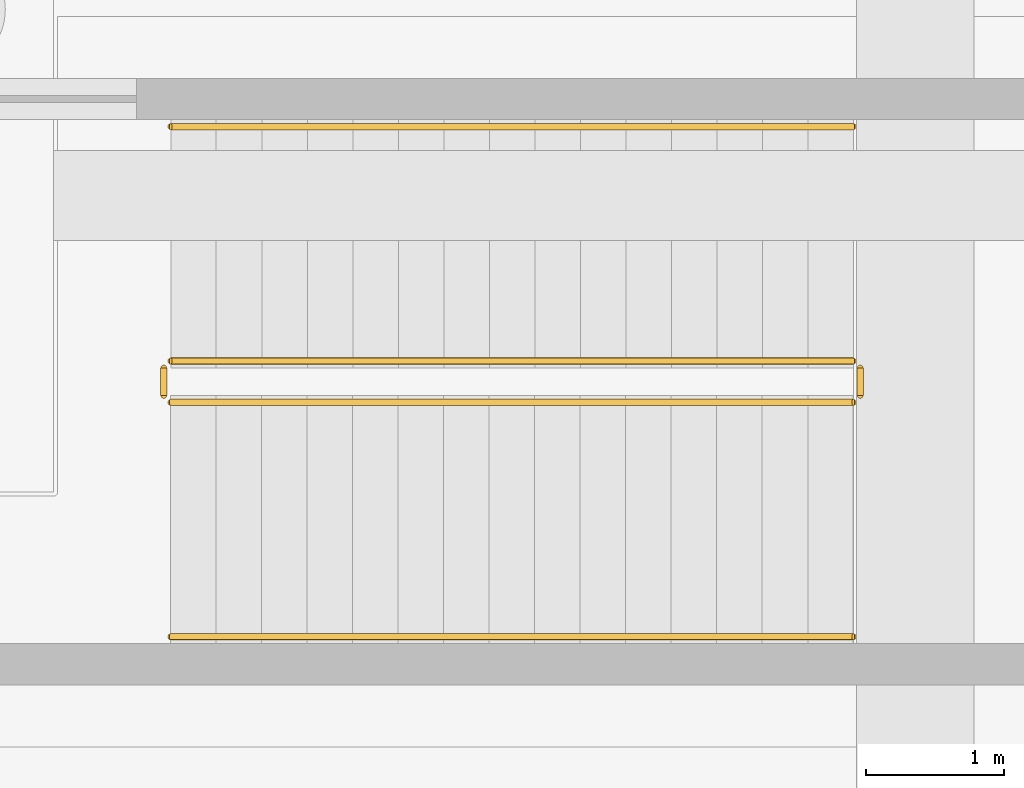
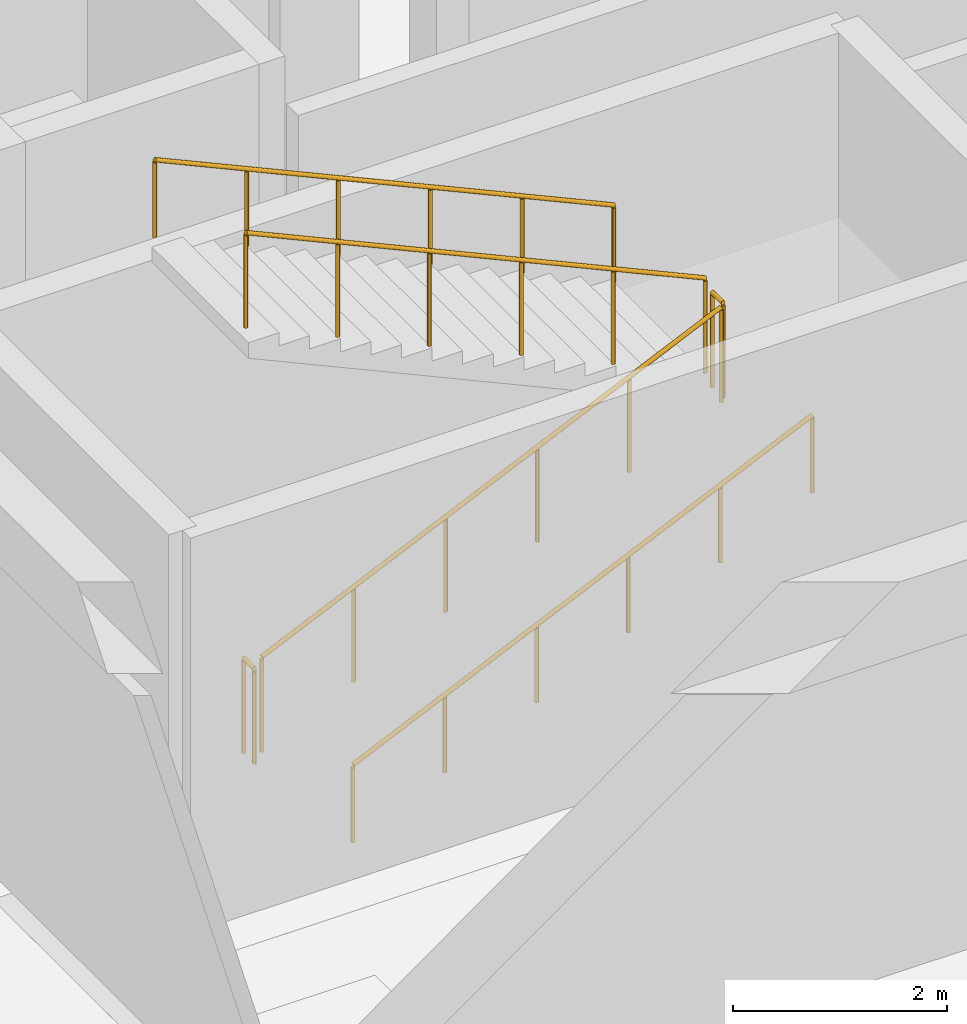
# One storey, part 77 of 80: 6 railings.
"""IFC4 building model written with IfcOpenShell, lengths in metres."""

from ifc_helpers import new_model, si_unit, direction, frame, origin, origin_2d, place, context, subcontext, project, spatial, circle, extrude, material, layer, layer_set, type_object, element, save


model = new_model("IFC4")

# Units and contexts
model_context = context("Model", 3, precision=1e-05, world=origin(), true_north=direction((0.0, 1.0)))
body_context = subcontext(model_context, "Body", "Model", "MODEL_VIEW")
ifc_project = project(units=[si_unit("LENGTHUNIT", "METRE"), si_unit("AREAUNIT", "SQUARE_METRE"), si_unit("VOLUMEUNIT", "CUBIC_METRE"), si_unit("PLANEANGLEUNIT", "RADIAN"), si_unit("MASSUNIT", "GRAM", prefix="KILO")], contexts=[model_context])

# Site, building, storey
site_placement = place(None, origin())
site = spatial("IfcSite", under=ifc_project, at=site_placement, CompositionType="ELEMENT")
building_placement = place(site_placement, origin())
building = spatial("IfcBuilding", under=site, at=building_placement, Name="Malvenik Polytechnic", CompositionType="ELEMENT")
storey_placement = place(building_placement, frame((0.0, 0.0, -4.800048828125)))
storey = spatial("IfcBuildingStorey", under=building, at=storey_placement, Name="B1", CompositionType="ELEMENT", Elevation=-4.800048828125)

# Railings
ifc_material_1 = material(Name="Painted galvanised steel stair well balustrade 1100mm", Category="steel")
ifc_layer_1 = layer(ifc_material_1, 0.050048828125)
ifc_layer_set_1 = layer_set([ifc_layer_1], Name="Painted galvanised steel stair well balustrade 1100mm")
railing_type_1 = type_object("IfcRailingType", Name="ARC-RL-STGD", PredefinedType="BALUSTRADE", material=ifc_layer_set_1)
railing_1_placement = place(storey_placement, frame((95.39990234375, 120.89990234375, 0.150146484375)))
element("IfcRailing", 1, at=railing_1_placement, inside=storey, type_object=railing_type_1, Name="B1 ST-03 stair guard 1", PredefinedType="BALUSTRADE", context=body_context, shape_type="SweptSolid", body=[
    extrude(circle(Radius=0.02392578125, at=origin_2d()), frame((0.0, 0.0, 1.076171875), z_axis=(0.910372627913, 0.0, 0.413789413043), x_axis=(0.0, 1.0, 0.0)), (0.0, 0.0, 1.0), 5.4375),
    extrude(circle(Radius=0.02099609375, at=origin_2d()), origin(), (0.0, 0.0, 1.0), 1.052001953125),
    extrude(circle(Radius=0.02099609375, at=origin_2d()), frame((0.989990234375, 0.0, 0.449951171875)), (0.0, 0.0, 1.0), 1.052001953125),
    extrude(circle(Radius=0.02099609375, at=origin_2d()), frame((1.97998046875, 0.0, 0.89990234375)), (0.0, 0.0, 1.0), 1.052001953125),
    extrude(circle(Radius=0.02099609375, at=origin_2d()), frame((2.97021484375, 0.0, 1.35009765625)), (0.0, 0.0, 1.0), 1.052001953125),
    extrude(circle(Radius=0.02099609375, at=origin_2d()), frame((3.960205078125, 0.0, 1.800048828125)), (0.0, 0.0, 1.0), 1.052001953125),
    extrude(circle(Radius=0.02099609375, at=origin_2d()), frame((4.9501953125, 0.0, 2.25)), (0.0, 0.0, 1.0), 1.052001953125),
])
railing_2_placement = place(storey_placement, frame((100.39990234375, 120.949951171875, 2.400146484375)))
element("IfcRailing", 2, at=railing_2_placement, inside=storey, type_object=railing_type_1, Name="B1 ST-03 stair guard 2", PredefinedType="BALUSTRADE", context=body_context, shape_type="SweptSolid", body=[
    extrude(circle(Radius=0.02392578125, at=origin_2d()), frame((0.0, 0.0, 1.076171875), z_axis=(0.0, 1.0, 0.0), x_axis=(-1.0, 0.0, 0.0)), (0.0, 0.0, 1.0), 0.199951171875),
    extrude(circle(Radius=0.02099609375, at=origin_2d()), origin(), (0.0, 0.0, 1.0), 1.052001953125),
    extrude(circle(Radius=0.02099609375, at=origin_2d()), frame((0.0, 0.199951171875, 0.0)), (0.0, 0.0, 1.0), 1.052001953125),
])
railing_3_placement = place(storey_placement, frame((100.35009765625, 121.199951171875, 2.550048828125)))
element("IfcRailing", 3, at=railing_3_placement, inside=storey, type_object=railing_type_1, Name="B1 ST-03 stair guard 3", PredefinedType="BALUSTRADE", context=body_context, shape_type="SweptSolid", body=[
    extrude(circle(Radius=0.02392578125, at=origin_2d()), frame((0.0, 0.0, 1.076171875), z_axis=(-0.910372627913, 0.0, 0.413789413043), x_axis=(0.0, -1.0, 0.0)), (0.0, 0.0, 1.0), 5.4375),
    extrude(circle(Radius=0.02099609375, at=origin_2d()), origin(), (0.0, 0.0, 1.0), 1.052001953125),
    extrude(circle(Radius=0.02099609375, at=origin_2d()), frame((-0.989990234375, 0.0, 0.449951171875)), (0.0, 0.0, 1.0), 1.052001953125),
    extrude(circle(Radius=0.02099609375, at=origin_2d()), frame((-1.97998046875, 0.0, 0.89990234375)), (0.0, 0.0, 1.0), 1.052001953125),
    extrude(circle(Radius=0.02099609375, at=origin_2d()), frame((-2.97021484375, 0.0, 1.35009765625)), (0.0, 0.0, 1.0), 1.052001953125),
    extrude(circle(Radius=0.02099609375, at=origin_2d()), frame((-3.960205078125, 0.0, 1.800048828125)), (0.0, 0.0, 1.0), 1.052001953125),
    extrude(circle(Radius=0.02099609375, at=origin_2d()), frame((-4.9501953125, 0.0, 2.25)), (0.0, 0.0, 1.0), 1.052001953125),
])
railing_4_placement = place(storey_placement, frame((95.35009765625, 120.949951171875, 0.0)))
element("IfcRailing", 4, at=railing_4_placement, inside=storey, type_object=railing_type_1, Name="B1 ST-03 stair guard 4", PredefinedType="BALUSTRADE", context=body_context, shape_type="SweptSolid", body=[
    extrude(circle(Radius=0.02392578125, at=origin_2d()), frame((0.0, 0.0, 1.076171875), z_axis=(0.0, 1.0, 0.0), x_axis=(-1.0, 0.0, 0.0)), (0.0, 0.0, 1.0), 0.199951171875),
    extrude(circle(Radius=0.02099609375, at=origin_2d()), origin(), (0.0, 0.0, 1.0), 1.052001953125),
    extrude(circle(Radius=0.02099609375, at=origin_2d()), frame((0.0, 0.199951171875, 0.0)), (0.0, 0.0, 1.0), 1.052001953125),
])
ifc_material_2 = material(Name="Brushed stainless steel 1.4301 stair wall handrail", Category="steel")
ifc_layer_2 = layer(ifc_material_2, 0.044921875)
ifc_layer_set_2 = layer_set([ifc_layer_2], Name="Brushed stainless steel 1.4301 stair wall handrail")
railing_type_2 = type_object("IfcRailingType", Name="ARC-RL-STHR", PredefinedType="HANDRAIL", material=ifc_layer_set_2)
railing_5_placement = place(storey_placement, frame((95.39990234375, 119.199951171875, 0.150146484375)))
element("IfcRailing", 5, at=railing_5_placement, inside=storey, type_object=railing_type_2, Name="B1 ST-03 stair handrail 1", PredefinedType="HANDRAIL", context=body_context, shape_type="SweptSolid", body=[
    extrude(circle(Radius=0.02392578125, at=origin_2d()), frame((0.0, 0.0, 0.8759765625), z_axis=(0.910372627913, 0.0, 0.413789413043), x_axis=(0.0, 1.0, 0.0)), (0.0, 0.0, 1.0), 5.4375),
    extrude(circle(Radius=0.02099609375, at=origin_2d()), origin(), (0.0, 0.0, 1.0), 0.851806640625),
    extrude(circle(Radius=0.02099609375, at=origin_2d()), frame((0.989990234375, 0.0, 0.449951171875)), (0.0, 0.0, 1.0), 0.851806640625),
    extrude(circle(Radius=0.02099609375, at=origin_2d()), frame((1.97998046875, 0.0, 0.89990234375)), (0.0, 0.0, 1.0), 0.851806640625),
    extrude(circle(Radius=0.02099609375, at=origin_2d()), frame((2.97021484375, 0.0, 1.35009765625)), (0.0, 0.0, 1.0), 0.851806640625),
    extrude(circle(Radius=0.02099609375, at=origin_2d()), frame((3.960205078125, 0.0, 1.800048828125)), (0.0, 0.0, 1.0), 0.851806640625),
    extrude(circle(Radius=0.02099609375, at=origin_2d()), frame((4.9501953125, 0.0, 2.25)), (0.0, 0.0, 1.0), 0.851806640625),
])
railing_6_placement = place(storey_placement, frame((100.35009765625, 122.89990234375, 2.550048828125)))
element("IfcRailing", 6, at=railing_6_placement, inside=storey, type_object=railing_type_2, Name="B1 ST-03 stair handrail 2", PredefinedType="HANDRAIL", context=body_context, shape_type="SweptSolid", body=[
    extrude(circle(Radius=0.02392578125, at=origin_2d()), frame((0.0, 0.0, 0.8759765625), z_axis=(-0.910372627913, 0.0, 0.413789413043), x_axis=(0.0, -1.0, 0.0)), (0.0, 0.0, 1.0), 5.4375),
    extrude(circle(Radius=0.02099609375, at=origin_2d()), origin(), (0.0, 0.0, 1.0), 0.851806640625),
    extrude(circle(Radius=0.02099609375, at=origin_2d()), frame((-0.989990234375, 0.0, 0.449951171875)), (0.0, 0.0, 1.0), 0.851806640625),
    extrude(circle(Radius=0.02099609375, at=origin_2d()), frame((-1.97998046875, 0.0, 0.89990234375)), (0.0, 0.0, 1.0), 0.851806640625),
    extrude(circle(Radius=0.02099609375, at=origin_2d()), frame((-2.97021484375, 0.0, 1.35009765625)), (0.0, 0.0, 1.0), 0.851806640625),
    extrude(circle(Radius=0.02099609375, at=origin_2d()), frame((-3.960205078125, 0.0, 1.800048828125)), (0.0, 0.0, 1.0), 0.851806640625),
    extrude(circle(Radius=0.02099609375, at=origin_2d()), frame((-4.9501953125, 0.0, 2.25)), (0.0, 0.0, 1.0), 0.851806640625),
])

save(model, "model.ifc")
